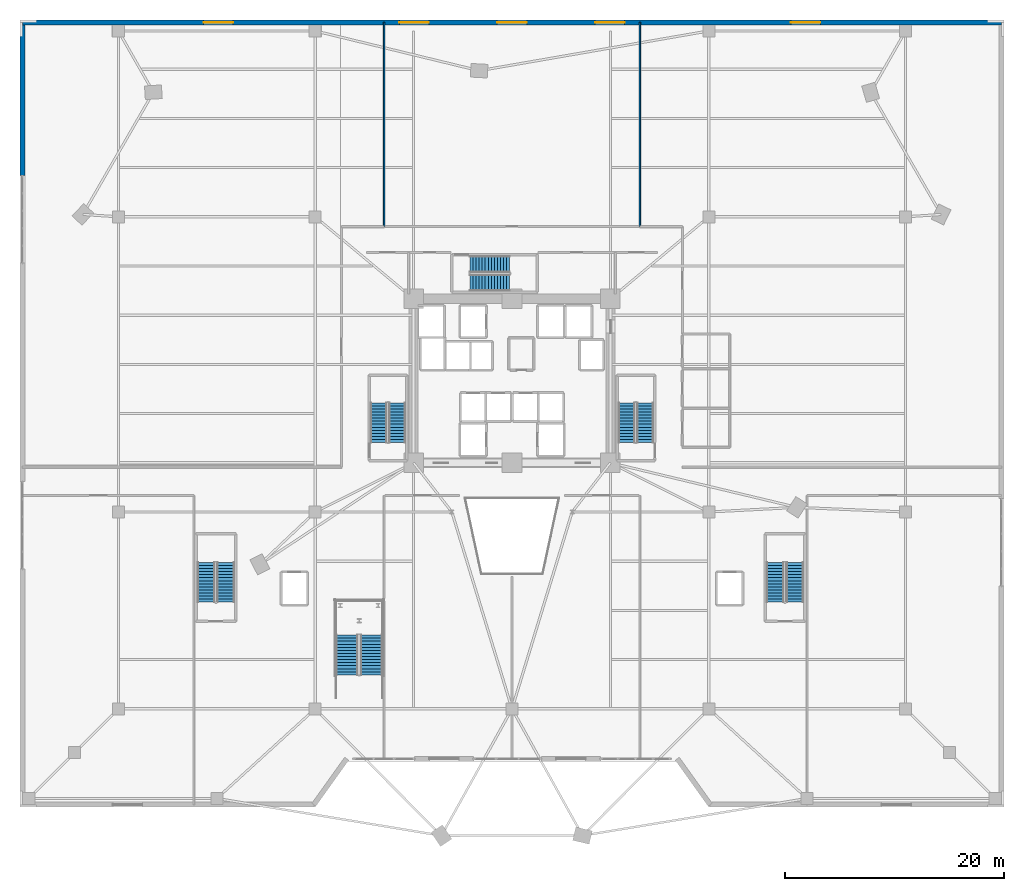
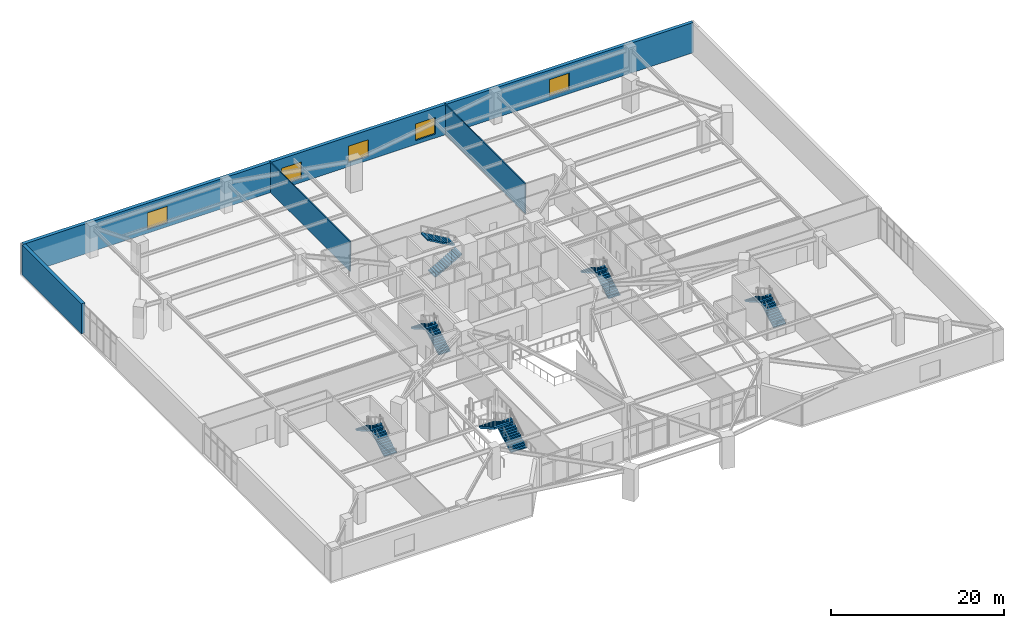
# One storey, part 23 of 29: 12 stair flights, 5 windows, 4 walls, 5 openings, 6 elements without a shape of their own.
"""IFC4 building model written with IfcOpenShell, lengths in metres."""

from ifc_helpers import new_model, si_unit, direction, frame, frame_2d, origin, place, context, subcontext, project, spatial, polyline, rectangle, outline, extrude, source, transform, mapped, material, layer, layer_set, type_object, element, fill, aggregate, save


model = new_model("IFC4")

# Units and contexts
model_context = context("Model", 3, precision=1e-05, world=origin(), true_north=direction((0.0, 1.0)))
body_context = subcontext(model_context, "Body", "Model", "MODEL_VIEW")
ifc_project = project(units=[si_unit("LENGTHUNIT", "METRE"), si_unit("AREAUNIT", "SQUARE_METRE"), si_unit("VOLUMEUNIT", "CUBIC_METRE"), si_unit("PLANEANGLEUNIT", "RADIAN"), si_unit("MASSUNIT", "GRAM", prefix="KILO")], contexts=[model_context])

# Site, building, storey
site_placement = place(None, origin())
site = spatial("IfcSite", under=ifc_project, at=site_placement, CompositionType="ELEMENT")
building_placement = place(site_placement, origin())
building = spatial("IfcBuilding", under=site, at=building_placement, Name="Liaohun Quay Tower", CompositionType="ELEMENT")
storey_placement = place(building_placement, frame((0.0, 0.0, 5.39990234375)))
storey = spatial("IfcBuildingStorey", under=building, at=storey_placement, Name="L02", CompositionType="ELEMENT", Elevation=5.39990234375)

# Wall, openings, windows
ifc_material_1 = material(Name="Precast concrete C50 with granite facing", Category="masonry")
ifc_layer_1 = layer(ifc_material_1, 0.4599609375, Name="Precast concrete C50 with granite facing", Category="masonry")
ifc_layer_set_1 = layer_set([ifc_layer_1], Name="Precast concrete C50 with granite facing")
wall_type_1 = type_object("IfcWallType", Name="WAL-EXT-POD", PredefinedType="SOLIDWALL", material=ifc_layer_set_1)
wall_1_placement = place(storey_placement, frame((104.77001953125, 86.77001953125, 0.0), z_axis=(0.0, 0.0, 1.0), x_axis=(-1.0, 0.0, 0.0)))
wall_1 = element("IfcWall", 1, at=wall_1_placement, inside=storey, type_object=wall_type_1, Name="L02 Podium Precast Facade Wall 06", PredefinedType="SOLIDWALL", context=body_context, shape_type="SweptSolid", body=[
    extrude(rectangle(XDim=89.5400390625, YDim=0.4599609375, at=frame_2d((44.77001953125, 0.0))), origin(), (0.0, 0.0, 1.0), 4.25),
])
shared_shape_1 = source(origin(), body_context, "Body", "SweptSolid", [
    extrude(rectangle(XDim=2.699951171875, YDim=2.35009765625, at=frame_2d((1.35009765625, 1.175048828125))), frame((0.0, 0.239990234375, 0.0), z_axis=(0.0, -1.0, 0.0), x_axis=(1.0, 0.0, 0.0)), (0.0, 0.0, 1.0), 0.47998046875),
])
opening_1_placement = place(wall_1_placement, frame((16.55810546875, 0.0, 0.550048828125)))
opening_1 = element("IfcOpeningElement", 2, at=opening_1_placement, cuts=wall_1, Name="Opening W06", PredefinedType="OPENING", context=body_context, shape_type="MappedRepresentation", body=[
    mapped(shared_shape_1, transform((0.0, 0.0, 0.0), x_axis=(1.0, 0.0, 0.0), y_axis=(0.0, 1.0, 0.0), z_axis=(0.0, 0.0, 1.0), scale=1.0)),
])
opening_2_placement = place(wall_1_placement, frame((34.466064453125, 0.0, 0.550048828125)))
opening_2 = element("IfcOpeningElement", 3, at=opening_2_placement, cuts=wall_1, Name="Opening W06", PredefinedType="OPENING", context=body_context, shape_type="MappedRepresentation", body=[
    mapped(shared_shape_1, transform((0.0, 0.0, 0.0), x_axis=(1.0, 0.0, 0.0), y_axis=(0.0, 1.0, 0.0), z_axis=(0.0, 0.0, 1.0), scale=1.0)),
])
opening_3_placement = place(wall_1_placement, frame((43.419921875, 0.0, 0.550048828125)))
opening_3 = element("IfcOpeningElement", 4, at=opening_3_placement, cuts=wall_1, Name="Opening W06", PredefinedType="OPENING", context=body_context, shape_type="MappedRepresentation", body=[
    mapped(shared_shape_1, transform((0.0, 0.0, 0.0), x_axis=(1.0, 0.0, 0.0), y_axis=(0.0, 1.0, 0.0), z_axis=(0.0, 0.0, 1.0), scale=1.0)),
])
opening_4_placement = place(wall_1_placement, frame((52.3740234375, 0.0, 0.550048828125)))
opening_4 = element("IfcOpeningElement", 5, at=opening_4_placement, cuts=wall_1, Name="Opening W06", PredefinedType="OPENING", context=body_context, shape_type="MappedRepresentation", body=[
    mapped(shared_shape_1, transform((0.0, 0.0, 0.0), x_axis=(1.0, 0.0, 0.0), y_axis=(0.0, 1.0, 0.0), z_axis=(0.0, 0.0, 1.0), scale=1.0)),
])
opening_5_placement = place(wall_1_placement, frame((70.281982421875, 0.0, 0.550048828125)))
opening_5 = element("IfcOpeningElement", 6, at=opening_5_placement, cuts=wall_1, Name="Opening W06", PredefinedType="OPENING", context=body_context, shape_type="MappedRepresentation", body=[
    mapped(shared_shape_1, transform((0.0, 0.0, 0.0), x_axis=(1.0, 0.0, 0.0), y_axis=(0.0, 1.0, 0.0), z_axis=(0.0, 0.0, 1.0), scale=1.0)),
])
ifc_material_2 = material(Name="Triple Low-E waterfront podium glazing", Category="glass")
window_type = type_object("IfcWindowType", Name="WIN-POD-ARC", PartitioningType="TRIPLE_PANEL_VERTICAL", PredefinedType="WINDOW", material=ifc_material_2)
shared_shape_2 = source(origin(), body_context, "Body", "SweptSolid", [
    extrude(rectangle(XDim=2.699951171875, YDim=2.35009765625, at=frame_2d((1.35009765625, 1.175048828125))), frame((0.0, 0.030029296875, 0.0), z_axis=(0.0, -1.0, 0.0), x_axis=(1.0, 0.0, 0.0)), (0.0, 0.0, 1.0), 0.06005859375),
])
window_1_placement = place(opening_1_placement, origin())
window_1 = element("IfcWindow", 7, at=window_1_placement, inside=storey, type_object=window_type, Name="L02 Podium Punched Window W06-06-02", OverallHeight=2.35009765625, OverallWidth=2.699951171875, PartitioningType="TRIPLE_PANEL_VERTICAL", PredefinedType="WINDOW", context=body_context, shape_type="MappedRepresentation", body=[
    mapped(shared_shape_2, transform((0.0, 0.0, 0.0), x_axis=(1.0, 0.0, 0.0), y_axis=(0.0, 1.0, 0.0), z_axis=(0.0, 0.0, 1.0), scale=1.0)),
])
fill(opening_1, window_1)
window_2_placement = place(opening_2_placement, origin())
window_2 = element("IfcWindow", 8, at=window_2_placement, inside=storey, type_object=window_type, Name="L02 Podium Punched Window W06-06-04", OverallHeight=2.35009765625, OverallWidth=2.699951171875, PartitioningType="TRIPLE_PANEL_VERTICAL", PredefinedType="WINDOW", context=body_context, shape_type="MappedRepresentation", body=[
    mapped(shared_shape_2, transform((0.0, 0.0, 0.0), x_axis=(1.0, 0.0, 0.0), y_axis=(0.0, 1.0, 0.0), z_axis=(0.0, 0.0, 1.0), scale=1.0)),
])
fill(opening_2, window_2)
window_3_placement = place(opening_3_placement, origin())
window_3 = element("IfcWindow", 9, at=window_3_placement, inside=storey, type_object=window_type, Name="L02 Podium Punched Window W06-06-05", OverallHeight=2.35009765625, OverallWidth=2.699951171875, PartitioningType="TRIPLE_PANEL_VERTICAL", PredefinedType="WINDOW", context=body_context, shape_type="MappedRepresentation", body=[
    mapped(shared_shape_2, transform((0.0, 0.0, 0.0), x_axis=(1.0, 0.0, 0.0), y_axis=(0.0, 1.0, 0.0), z_axis=(0.0, 0.0, 1.0), scale=1.0)),
])
fill(opening_3, window_3)
window_4_placement = place(opening_4_placement, origin())
window_4 = element("IfcWindow", 10, at=window_4_placement, inside=storey, type_object=window_type, Name="L02 Podium Punched Window W06-06-06", OverallHeight=2.35009765625, OverallWidth=2.699951171875, PartitioningType="TRIPLE_PANEL_VERTICAL", PredefinedType="WINDOW", context=body_context, shape_type="MappedRepresentation", body=[
    mapped(shared_shape_2, transform((0.0, 0.0, 0.0), x_axis=(1.0, 0.0, 0.0), y_axis=(0.0, 1.0, 0.0), z_axis=(0.0, 0.0, 1.0), scale=1.0)),
])
fill(opening_4, window_4)
window_5_placement = place(opening_5_placement, origin())
window_5 = element("IfcWindow", 11, at=window_5_placement, inside=storey, type_object=window_type, Name="L02 Podium Punched Window W06-06-08", OverallHeight=2.35009765625, OverallWidth=2.699951171875, PartitioningType="TRIPLE_PANEL_VERTICAL", PredefinedType="WINDOW", context=body_context, shape_type="MappedRepresentation", body=[
    mapped(shared_shape_2, transform((0.0, 0.0, 0.0), x_axis=(1.0, 0.0, 0.0), y_axis=(0.0, 1.0, 0.0), z_axis=(0.0, 0.0, 1.0), scale=1.0)),
])
fill(opening_5, window_5)

# Walls
wall_2_placement = place(storey_placement, frame((15.22998046875, 86.530029296875, 0.0), z_axis=(0.0, 0.0, 1.0), x_axis=(0.0, -1.0, 0.0)))
element("IfcWall", 12, at=wall_2_placement, inside=storey, type_object=wall_type_1, Name="L02 Podium Precast Facade Wall 7-1", PredefinedType="SOLIDWALL", context=body_context, shape_type="SweptSolid", body=[
    extrude(rectangle(XDim=13.760009765625, YDim=0.4599609375, at=frame_2d((6.8798828125, 0.0))), origin(), (0.0, 0.0, 1.0), 4.25),
])
ifc_material_3 = material(Name="Gypsum board on twin steel studs", Category="steel")
ifc_layer_2 = layer(ifc_material_3, 0.139892578125, Name="Gypsum board on twin steel studs", Category="steel")
ifc_layer_set_2 = layer_set([ifc_layer_2], Name="Gypsum board on twin steel studs")
wall_type_2 = type_object("IfcWallType", Name="WAL-PRT-OFF", PredefinedType="PARTITIONING", material=ifc_layer_set_2)
for number, where, z_axis, x_axis, name in (
    (13, (48.300048828125, 68.10009765625, 0.0), (0.0, 0.0, 1.0), (0.0, 1.0, 0.0), "L02 Interior Partition Wall 033"),
    (14, (71.699951171875, 68.10009765625, 0.0), (0.0, 0.0, 1.0), (0.0, 1.0, 0.0), "L02 Interior Partition Wall 034"),
):
    element("IfcWall", number, at=place(storey_placement, frame(where, z_axis=z_axis, x_axis=x_axis)), inside=storey, type_object=wall_type_2, Name=name, PredefinedType="PARTITIONING", context=body_context, shape_type="SweptSolid", body=[
        extrude(rectangle(XDim=18.6748046875, YDim=0.139892578125, at=frame_2d((9.33740234375, 0.0))), origin(), (0.0, 0.0, 1.0), 4.25),
    ])

# Stair, stair flights
ifc_material_4 = material(Name="Precast concrete C50", Category="concrete")
stair_type_1 = type_object("IfcStairType", Name="STR-MON-ATR", PredefinedType="STRAIGHT_RUN_STAIR", material=ifc_material_4)
stair_1_placement = place(storey_placement, origin())
stair_1 = element("IfcStair", 15, at=stair_1_placement, inside=storey, type_object=stair_type_1, Name="L02 Monumental Atrium Feature Stair ST-A", PredefinedType="STRAIGHT_RUN_STAIR")
stair_flight_type_1 = type_object("IfcStairFlightType", Name="FLT-ATR-210", PredefinedType="STRAIGHT", material=ifc_material_4)
stair_flight_1_placement = place(storey_placement, frame((47.14990234375, 27.10009765625, 0.0), z_axis=(0.0, 0.0, 1.0), x_axis=(0.0, 1.0, 0.0)))
stair_flight_1 = element("IfcStairFlight", 16, at=stair_flight_1_placement, type_object=stair_flight_type_1, Name="ST-A flight 1", NumberOfRisers=14, NumberOfTreads=13, PredefinedType="STRAIGHT", RiserHeight=0.160714286, TreadLength=0.28, context=body_context, shape_type="SweptSolid", body=[
    extrude(outline(polyline([(0.0, 0.0), (0.0, 0.16064453125), (0.280029296875, 0.16064453125), (0.280029296875, 0.321533203125), (0.56005859375, 0.321533203125), (0.56005859375, 0.482177734375), (0.840087890625, 0.482177734375), (0.840087890625, 0.642822265625), (1.1201171875, 0.642822265625), (1.1201171875, 0.803466796875), (1.39990234375, 0.803466796875), (1.39990234375, 0.96435546875), (1.679931640625, 0.96435546875), (1.679931640625, 1.125), (1.9599609375, 1.125), (1.9599609375, 1.28564453125), (2.239990234375, 1.28564453125), (2.239990234375, 1.446533203125), (2.52001953125, 1.446533203125), (2.52001953125, 1.607177734375), (2.800048828125, 1.607177734375), (2.800048828125, 1.767822265625), (3.080078125, 1.767822265625), (3.080078125, 1.928466796875), (3.360107421875, 1.928466796875), (3.360107421875, 2.08935546875), (3.639892578125, 2.08935546875), (3.639892578125, 2.25), (3.639892578125, 1.835693359375), (0.44189453125, 0.0), (0.0, 0.0)])), frame((0.0, 1.050048828125, 0.0), z_axis=(0.0, -1.0, 0.0), x_axis=(1.0, 0.0, 0.0)), (0.0, 0.0, 1.0), 2.10009765625),
])
stair_flight_2_placement = place(storey_placement, frame((44.909912109375, 30.739990234375, 2.25), z_axis=(0.0, 0.0, 1.0), x_axis=(0.0, -1.0, 0.0)))
stair_flight_2 = element("IfcStairFlight", 17, at=stair_flight_2_placement, type_object=stair_flight_type_1, Name="ST-A flight 2", NumberOfRisers=14, NumberOfTreads=13, PredefinedType="STRAIGHT", RiserHeight=0.160714286, TreadLength=0.28, context=body_context, shape_type="SweptSolid", body=[
    extrude(outline(polyline([(0.0, 0.0), (0.0, 0.16064453125), (0.280029296875, 0.16064453125), (0.280029296875, 0.321533203125), (0.56005859375, 0.321533203125), (0.56005859375, 0.482177734375), (0.840087890625, 0.482177734375), (0.840087890625, 0.642822265625), (1.1201171875, 0.642822265625), (1.1201171875, 0.803466796875), (1.39990234375, 0.803466796875), (1.39990234375, 0.96435546875), (1.679931640625, 0.96435546875), (1.679931640625, 1.125), (1.9599609375, 1.125), (1.9599609375, 1.28564453125), (2.239990234375, 1.28564453125), (2.239990234375, 1.446533203125), (2.52001953125, 1.446533203125), (2.52001953125, 1.607177734375), (2.800048828125, 1.607177734375), (2.800048828125, 1.767822265625), (3.080078125, 1.767822265625), (3.080078125, 1.928466796875), (3.360107421875, 1.928466796875), (3.360107421875, 2.08935546875), (3.639892578125, 2.08935546875), (3.639892578125, 2.25), (3.639892578125, 1.835693359375), (0.44189453125, 0.0), (0.0, 0.0)])), frame((0.0, 1.050048828125, 0.0), z_axis=(0.0, -1.0, 0.0), x_axis=(1.0, 0.0, 0.0)), (0.0, 0.0, 1.0), 2.10009765625),
])
aggregate(stair_1, [stair_flight_1, stair_flight_2])

ifc_material_5 = material(Name="Concrete C45", Category="concrete")
stair_type_2 = type_object("IfcStairType", Name="STR-CORE-TALL", PredefinedType="HALF_TURN_STAIR", material=ifc_material_5)
stair_2_placement = place(storey_placement, origin())
stair_2 = element("IfcStair", 18, at=stair_2_placement, inside=storey, type_object=stair_type_2, Name="L02 Smokeproof Core Exit Stair ST-1", PredefinedType="HALF_TURN_STAIR")
stair_flight_type_2 = type_object("IfcStairFlightType", Name="FLT-CORE-155", PredefinedType="STRAIGHT", material=ifc_material_5)
stair_flight_3_placement = place(storey_placement, frame((49.5048828125, 48.35009765625, 0.0), z_axis=(0.0, 0.0, 1.0), x_axis=(0.0, 1.0, 0.0)))
stair_flight_3 = element("IfcStairFlight", 19, at=stair_flight_3_placement, type_object=stair_flight_type_2, Name="ST-1 flight 1", NumberOfRisers=14, NumberOfTreads=13, PredefinedType="STRAIGHT", RiserHeight=0.160714286, TreadLength=0.28, context=body_context, shape_type="SweptSolid", body=[
    extrude(outline(polyline([(0.0, 0.0), (0.0, 0.16064453125), (0.280029296875, 0.16064453125), (0.280029296875, 0.321533203125), (0.56005859375, 0.321533203125), (0.56005859375, 0.482177734375), (0.840087890625, 0.482177734375), (0.840087890625, 0.642822265625), (1.1201171875, 0.642822265625), (1.1201171875, 0.803466796875), (1.39990234375, 0.803466796875), (1.39990234375, 0.96435546875), (1.679931640625, 0.96435546875), (1.679931640625, 1.125), (1.9599609375, 1.125), (1.9599609375, 1.28564453125), (2.239990234375, 1.28564453125), (2.239990234375, 1.446533203125), (2.52001953125, 1.446533203125), (2.52001953125, 1.607177734375), (2.800048828125, 1.607177734375), (2.800048828125, 1.767822265625), (3.080078125, 1.767822265625), (3.080078125, 1.928466796875), (3.360107421875, 1.928466796875), (3.360107421875, 2.08935546875), (3.639892578125, 2.08935546875), (3.639892578125, 2.25), (3.639892578125, 1.91650390625), (0.301025390625, 0.0), (0.0, 0.0)])), frame((0.0, 0.77490234375, 0.0), z_axis=(0.0, -1.0, 0.0), x_axis=(1.0, 0.0, 0.0)), (0.0, 0.0, 1.0), 1.550048828125),
])
stair_flight_4_placement = place(storey_placement, frame((47.81494140625, 51.989990234375, 2.25), z_axis=(0.0, 0.0, 1.0), x_axis=(0.0, -1.0, 0.0)))
stair_flight_4 = element("IfcStairFlight", 20, at=stair_flight_4_placement, type_object=stair_flight_type_2, Name="ST-1 flight 2", NumberOfRisers=14, NumberOfTreads=13, PredefinedType="STRAIGHT", RiserHeight=0.160714286, TreadLength=0.28, context=body_context, shape_type="SweptSolid", body=[
    extrude(outline(polyline([(0.0, 0.0), (0.0, 0.16064453125), (0.280029296875, 0.16064453125), (0.280029296875, 0.321533203125), (0.56005859375, 0.321533203125), (0.56005859375, 0.482177734375), (0.840087890625, 0.482177734375), (0.840087890625, 0.642822265625), (1.1201171875, 0.642822265625), (1.1201171875, 0.803466796875), (1.39990234375, 0.803466796875), (1.39990234375, 0.96435546875), (1.679931640625, 0.96435546875), (1.679931640625, 1.125), (1.9599609375, 1.125), (1.9599609375, 1.28564453125), (2.239990234375, 1.28564453125), (2.239990234375, 1.446533203125), (2.52001953125, 1.446533203125), (2.52001953125, 1.607177734375), (2.800048828125, 1.607177734375), (2.800048828125, 1.767822265625), (3.080078125, 1.767822265625), (3.080078125, 1.928466796875), (3.360107421875, 1.928466796875), (3.360107421875, 2.08935546875), (3.639892578125, 2.08935546875), (3.639892578125, 2.25), (3.639892578125, 1.91650390625), (0.301025390625, 0.0), (0.0, 0.0)])), frame((0.0, 0.77490234375, 0.0), z_axis=(0.0, -1.0, 0.0), x_axis=(1.0, 0.0, 0.0)), (0.0, 0.0, 1.0), 1.550048828125),
])
aggregate(stair_2, [stair_flight_3, stair_flight_4])

stair_3_placement = place(storey_placement, origin())
stair_3 = element("IfcStair", 21, at=stair_3_placement, inside=storey, type_object=stair_type_2, Name="L02 Smokeproof Core Exit Stair ST-2", PredefinedType="HALF_TURN_STAIR")
stair_flight_5_placement = place(storey_placement, frame((72.18505859375, 48.35009765625, 0.0), z_axis=(0.0, 0.0, 1.0), x_axis=(0.0, 1.0, 0.0)))
stair_flight_5 = element("IfcStairFlight", 22, at=stair_flight_5_placement, type_object=stair_flight_type_2, Name="ST-2 flight 1", NumberOfRisers=14, NumberOfTreads=13, PredefinedType="STRAIGHT", RiserHeight=0.160714286, TreadLength=0.28, context=body_context, shape_type="SweptSolid", body=[
    extrude(outline(polyline([(0.0, 0.0), (0.0, 0.16064453125), (0.280029296875, 0.16064453125), (0.280029296875, 0.321533203125), (0.56005859375, 0.321533203125), (0.56005859375, 0.482177734375), (0.840087890625, 0.482177734375), (0.840087890625, 0.642822265625), (1.1201171875, 0.642822265625), (1.1201171875, 0.803466796875), (1.39990234375, 0.803466796875), (1.39990234375, 0.96435546875), (1.679931640625, 0.96435546875), (1.679931640625, 1.125), (1.9599609375, 1.125), (1.9599609375, 1.28564453125), (2.239990234375, 1.28564453125), (2.239990234375, 1.446533203125), (2.52001953125, 1.446533203125), (2.52001953125, 1.607177734375), (2.800048828125, 1.607177734375), (2.800048828125, 1.767822265625), (3.080078125, 1.767822265625), (3.080078125, 1.928466796875), (3.360107421875, 1.928466796875), (3.360107421875, 2.08935546875), (3.639892578125, 2.08935546875), (3.639892578125, 2.25), (3.639892578125, 1.91650390625), (0.301025390625, 0.0), (0.0, 0.0)])), frame((0.0, 0.77490234375, 0.0), z_axis=(0.0, -1.0, 0.0), x_axis=(1.0, 0.0, 0.0)), (0.0, 0.0, 1.0), 1.550048828125),
])
stair_flight_6_placement = place(storey_placement, frame((70.4951171875, 51.989990234375, 2.25), z_axis=(0.0, 0.0, 1.0), x_axis=(0.0, -1.0, 0.0)))
stair_flight_6 = element("IfcStairFlight", 23, at=stair_flight_6_placement, type_object=stair_flight_type_2, Name="ST-2 flight 2", NumberOfRisers=14, NumberOfTreads=13, PredefinedType="STRAIGHT", RiserHeight=0.160714286, TreadLength=0.28, context=body_context, shape_type="SweptSolid", body=[
    extrude(outline(polyline([(0.0, 0.0), (0.0, 0.16064453125), (0.280029296875, 0.16064453125), (0.280029296875, 0.321533203125), (0.56005859375, 0.321533203125), (0.56005859375, 0.482177734375), (0.840087890625, 0.482177734375), (0.840087890625, 0.642822265625), (1.1201171875, 0.642822265625), (1.1201171875, 0.803466796875), (1.39990234375, 0.803466796875), (1.39990234375, 0.96435546875), (1.679931640625, 0.96435546875), (1.679931640625, 1.125), (1.9599609375, 1.125), (1.9599609375, 1.28564453125), (2.239990234375, 1.28564453125), (2.239990234375, 1.446533203125), (2.52001953125, 1.446533203125), (2.52001953125, 1.607177734375), (2.800048828125, 1.607177734375), (2.800048828125, 1.767822265625), (3.080078125, 1.767822265625), (3.080078125, 1.928466796875), (3.360107421875, 1.928466796875), (3.360107421875, 2.08935546875), (3.639892578125, 2.08935546875), (3.639892578125, 2.25), (3.639892578125, 1.91650390625), (0.301025390625, 0.0), (0.0, 0.0)])), frame((0.0, 0.77490234375, 0.0), z_axis=(0.0, -1.0, 0.0), x_axis=(1.0, 0.0, 0.0)), (0.0, 0.0, 1.0), 1.550048828125),
])
aggregate(stair_3, [stair_flight_5, stair_flight_6])

stair_4_placement = place(storey_placement, origin())
stair_4 = element("IfcStair", 24, at=stair_4_placement, inside=storey, type_object=stair_type_2, Name="L02 Smokeproof Core Exit Stair ST-3", PredefinedType="HALF_TURN_STAIR")
stair_flight_7_placement = place(storey_placement, frame((56.14990234375, 62.97509765625, 0.0), z_axis=(0.0, 0.0, 1.0), x_axis=(1.0, 0.0, 0.0)))
stair_flight_7 = element("IfcStairFlight", 25, at=stair_flight_7_placement, type_object=stair_flight_type_2, Name="ST-3 flight 1", NumberOfRisers=14, NumberOfTreads=13, PredefinedType="STRAIGHT", RiserHeight=0.160714286, TreadLength=0.28, context=body_context, shape_type="SweptSolid", body=[
    extrude(outline(polyline([(0.0, 0.0), (0.0, 0.16064453125), (0.280029296875, 0.16064453125), (0.280029296875, 0.321533203125), (0.56005859375, 0.321533203125), (0.56005859375, 0.482177734375), (0.840087890625, 0.482177734375), (0.840087890625, 0.642822265625), (1.1201171875, 0.642822265625), (1.1201171875, 0.803466796875), (1.39990234375, 0.803466796875), (1.39990234375, 0.96435546875), (1.679931640625, 0.96435546875), (1.679931640625, 1.125), (1.9599609375, 1.125), (1.9599609375, 1.28564453125), (2.239990234375, 1.28564453125), (2.239990234375, 1.446533203125), (2.52001953125, 1.446533203125), (2.52001953125, 1.607177734375), (2.800048828125, 1.607177734375), (2.800048828125, 1.767822265625), (3.080078125, 1.767822265625), (3.080078125, 1.928466796875), (3.360107421875, 1.928466796875), (3.360107421875, 2.08935546875), (3.639892578125, 2.08935546875), (3.639892578125, 2.25), (3.639892578125, 1.91650390625), (0.301025390625, 0.0), (0.0, 0.0)])), frame((0.0, 0.77490234375, 0.0), z_axis=(0.0, -1.0, 0.0), x_axis=(1.0, 0.0, 0.0)), (0.0, 0.0, 1.0), 1.550048828125),
])
stair_flight_8_placement = place(storey_placement, frame((59.7900390625, 64.6650390625, 2.25), z_axis=(0.0, 0.0, 1.0), x_axis=(-1.0, 0.0, 0.0)))
stair_flight_8 = element("IfcStairFlight", 26, at=stair_flight_8_placement, type_object=stair_flight_type_2, Name="ST-3 flight 2", NumberOfRisers=14, NumberOfTreads=13, PredefinedType="STRAIGHT", RiserHeight=0.160714286, TreadLength=0.28, context=body_context, shape_type="SweptSolid", body=[
    extrude(outline(polyline([(0.0, 0.0), (0.0, 0.16064453125), (0.280029296875, 0.16064453125), (0.280029296875, 0.321533203125), (0.56005859375, 0.321533203125), (0.56005859375, 0.482177734375), (0.840087890625, 0.482177734375), (0.840087890625, 0.642822265625), (1.1201171875, 0.642822265625), (1.1201171875, 0.803466796875), (1.39990234375, 0.803466796875), (1.39990234375, 0.96435546875), (1.679931640625, 0.96435546875), (1.679931640625, 1.125), (1.9599609375, 1.125), (1.9599609375, 1.28564453125), (2.239990234375, 1.28564453125), (2.239990234375, 1.446533203125), (2.52001953125, 1.446533203125), (2.52001953125, 1.607177734375), (2.800048828125, 1.607177734375), (2.800048828125, 1.767822265625), (3.080078125, 1.767822265625), (3.080078125, 1.928466796875), (3.360107421875, 1.928466796875), (3.360107421875, 2.08935546875), (3.639892578125, 2.08935546875), (3.639892578125, 2.25), (3.639892578125, 1.91650390625), (0.301025390625, 0.0), (0.0, 0.0)])), frame((0.0, 0.77490234375, 0.0), z_axis=(0.0, -1.0, 0.0), x_axis=(1.0, 0.0, 0.0)), (0.0, 0.0, 1.0), 1.550048828125),
])
aggregate(stair_4, [stair_flight_7, stair_flight_8])

stair_type_3 = type_object("IfcStairType", Name="STR-POD-EXIT", PredefinedType="TWO_STRAIGHT_RUN_STAIR", material=ifc_material_5)
stair_5_placement = place(storey_placement, origin())
stair_5 = element("IfcStair", 27, at=stair_5_placement, inside=storey, type_object=stair_type_3, Name="L02 Podium Smokeproof Exit Stair ST-P1", PredefinedType="TWO_STRAIGHT_RUN_STAIR")
stair_flight_type_3 = type_object("IfcStairFlightType", Name="FLT-POD-165", PredefinedType="STRAIGHT", material=ifc_material_5)
stair_flight_9_placement = place(storey_placement, frame((33.81494140625, 33.75, 0.0), z_axis=(0.0, 0.0, 1.0), x_axis=(0.0, 1.0, 0.0)))
stair_flight_9 = element("IfcStairFlight", 28, at=stair_flight_9_placement, type_object=stair_flight_type_3, Name="ST-P1 flight 1", NumberOfRisers=14, NumberOfTreads=13, PredefinedType="STRAIGHT", RiserHeight=0.160714286, TreadLength=0.28, context=body_context, shape_type="SweptSolid", body=[
    extrude(outline(polyline([(0.0, 0.0), (0.0, 0.16064453125), (0.280029296875, 0.16064453125), (0.280029296875, 0.321533203125), (0.56005859375, 0.321533203125), (0.56005859375, 0.482177734375), (0.840087890625, 0.482177734375), (0.840087890625, 0.642822265625), (1.1201171875, 0.642822265625), (1.1201171875, 0.803466796875), (1.39990234375, 0.803466796875), (1.39990234375, 0.96435546875), (1.679931640625, 0.96435546875), (1.679931640625, 1.125), (1.9599609375, 1.125), (1.9599609375, 1.28564453125), (2.239990234375, 1.28564453125), (2.239990234375, 1.446533203125), (2.52001953125, 1.446533203125), (2.52001953125, 1.607177734375), (2.800048828125, 1.607177734375), (2.800048828125, 1.767822265625), (3.080078125, 1.767822265625), (3.080078125, 1.928466796875), (3.360107421875, 1.928466796875), (3.360107421875, 2.08935546875), (3.639892578125, 2.08935546875), (3.639892578125, 2.25), (3.639892578125, 1.91650390625), (0.301025390625, 0.0), (0.0, 0.0)])), frame((0.0, 0.824951171875, 0.0), z_axis=(0.0, -1.0, 0.0), x_axis=(1.0, 0.0, 0.0)), (0.0, 0.0, 1.0), 1.64990234375),
])
stair_flight_10_placement = place(storey_placement, frame((32.02490234375, 37.389892578125, 2.25), z_axis=(0.0, 0.0, 1.0), x_axis=(0.0, -1.0, 0.0)))
stair_flight_10 = element("IfcStairFlight", 29, at=stair_flight_10_placement, type_object=stair_flight_type_3, Name="ST-P1 flight 2", NumberOfRisers=14, NumberOfTreads=13, PredefinedType="STRAIGHT", RiserHeight=0.160714286, TreadLength=0.28, context=body_context, shape_type="SweptSolid", body=[
    extrude(outline(polyline([(0.0, 0.0), (0.0, 0.16064453125), (0.280029296875, 0.16064453125), (0.280029296875, 0.321533203125), (0.56005859375, 0.321533203125), (0.56005859375, 0.482177734375), (0.840087890625, 0.482177734375), (0.840087890625, 0.642822265625), (1.1201171875, 0.642822265625), (1.1201171875, 0.803466796875), (1.39990234375, 0.803466796875), (1.39990234375, 0.96435546875), (1.679931640625, 0.96435546875), (1.679931640625, 1.125), (1.9599609375, 1.125), (1.9599609375, 1.28564453125), (2.239990234375, 1.28564453125), (2.239990234375, 1.446533203125), (2.52001953125, 1.446533203125), (2.52001953125, 1.607177734375), (2.800048828125, 1.607177734375), (2.800048828125, 1.767822265625), (3.080078125, 1.767822265625), (3.080078125, 1.928466796875), (3.360107421875, 1.928466796875), (3.360107421875, 2.08935546875), (3.639892578125, 2.08935546875), (3.639892578125, 2.25), (3.639892578125, 1.91650390625), (0.301025390625, 0.0), (0.0, 0.0)])), frame((0.0, 0.824951171875, 0.0), z_axis=(0.0, -1.0, 0.0), x_axis=(1.0, 0.0, 0.0)), (0.0, 0.0, 1.0), 1.64990234375),
])
aggregate(stair_5, [stair_flight_9, stair_flight_10])

stair_6_placement = place(storey_placement, origin())
stair_6 = element("IfcStair", 30, at=stair_6_placement, inside=storey, type_object=stair_type_3, Name="L02 Podium Smokeproof Exit Stair ST-P2", PredefinedType="TWO_STRAIGHT_RUN_STAIR")
stair_flight_11_placement = place(storey_placement, frame((85.875, 33.75, 0.0), z_axis=(0.0, 0.0, 1.0), x_axis=(0.0, 1.0, 0.0)))
stair_flight_11 = element("IfcStairFlight", 31, at=stair_flight_11_placement, type_object=stair_flight_type_3, Name="ST-P2 flight 1", NumberOfRisers=14, NumberOfTreads=13, PredefinedType="STRAIGHT", RiserHeight=0.160714286, TreadLength=0.28, context=body_context, shape_type="SweptSolid", body=[
    extrude(outline(polyline([(0.0, 0.0), (0.0, 0.16064453125), (0.280029296875, 0.16064453125), (0.280029296875, 0.321533203125), (0.56005859375, 0.321533203125), (0.56005859375, 0.482177734375), (0.840087890625, 0.482177734375), (0.840087890625, 0.642822265625), (1.1201171875, 0.642822265625), (1.1201171875, 0.803466796875), (1.39990234375, 0.803466796875), (1.39990234375, 0.96435546875), (1.679931640625, 0.96435546875), (1.679931640625, 1.125), (1.9599609375, 1.125), (1.9599609375, 1.28564453125), (2.239990234375, 1.28564453125), (2.239990234375, 1.446533203125), (2.52001953125, 1.446533203125), (2.52001953125, 1.607177734375), (2.800048828125, 1.607177734375), (2.800048828125, 1.767822265625), (3.080078125, 1.767822265625), (3.080078125, 1.928466796875), (3.360107421875, 1.928466796875), (3.360107421875, 2.08935546875), (3.639892578125, 2.08935546875), (3.639892578125, 2.25), (3.639892578125, 1.91650390625), (0.301025390625, 0.0), (0.0, 0.0)])), frame((0.0, 0.824951171875, 0.0), z_axis=(0.0, -1.0, 0.0), x_axis=(1.0, 0.0, 0.0)), (0.0, 0.0, 1.0), 1.64990234375),
])
stair_flight_12_placement = place(storey_placement, frame((84.0849609375, 37.389892578125, 2.25), z_axis=(0.0, 0.0, 1.0), x_axis=(0.0, -1.0, 0.0)))
stair_flight_12 = element("IfcStairFlight", 32, at=stair_flight_12_placement, type_object=stair_flight_type_3, Name="ST-P2 flight 2", NumberOfRisers=14, NumberOfTreads=13, PredefinedType="STRAIGHT", RiserHeight=0.160714286, TreadLength=0.28, context=body_context, shape_type="SweptSolid", body=[
    extrude(outline(polyline([(0.0, 0.0), (0.0, 0.16064453125), (0.280029296875, 0.16064453125), (0.280029296875, 0.321533203125), (0.56005859375, 0.321533203125), (0.56005859375, 0.482177734375), (0.840087890625, 0.482177734375), (0.840087890625, 0.642822265625), (1.1201171875, 0.642822265625), (1.1201171875, 0.803466796875), (1.39990234375, 0.803466796875), (1.39990234375, 0.96435546875), (1.679931640625, 0.96435546875), (1.679931640625, 1.125), (1.9599609375, 1.125), (1.9599609375, 1.28564453125), (2.239990234375, 1.28564453125), (2.239990234375, 1.446533203125), (2.52001953125, 1.446533203125), (2.52001953125, 1.607177734375), (2.800048828125, 1.607177734375), (2.800048828125, 1.767822265625), (3.080078125, 1.767822265625), (3.080078125, 1.928466796875), (3.360107421875, 1.928466796875), (3.360107421875, 2.08935546875), (3.639892578125, 2.08935546875), (3.639892578125, 2.25), (3.639892578125, 1.91650390625), (0.301025390625, 0.0), (0.0, 0.0)])), frame((0.0, 0.824951171875, 0.0), z_axis=(0.0, -1.0, 0.0), x_axis=(1.0, 0.0, 0.0)), (0.0, 0.0, 1.0), 1.64990234375),
])
aggregate(stair_6, [stair_flight_11, stair_flight_12])

save(model, "model.ifc")
